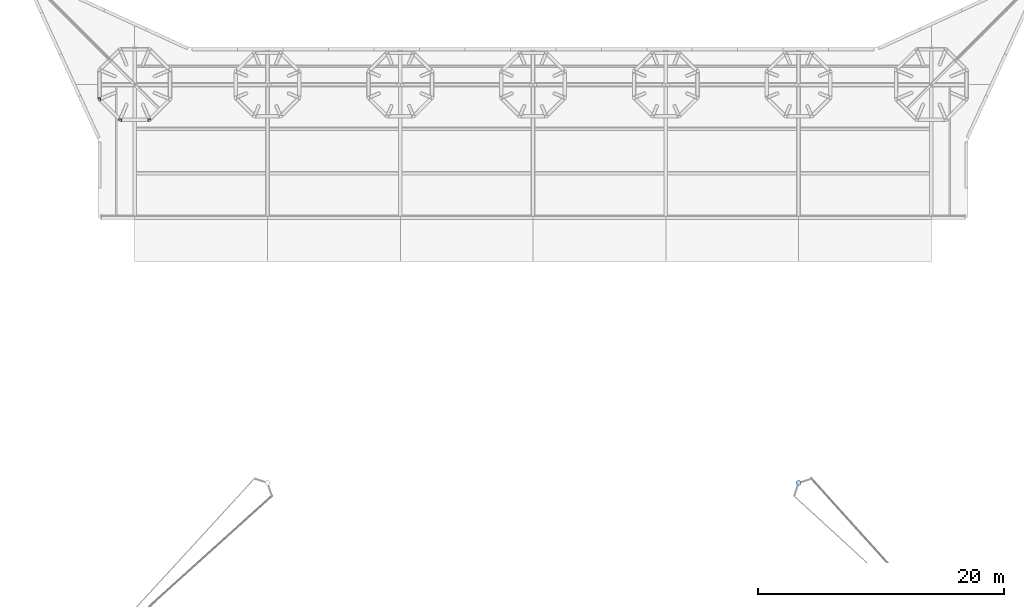
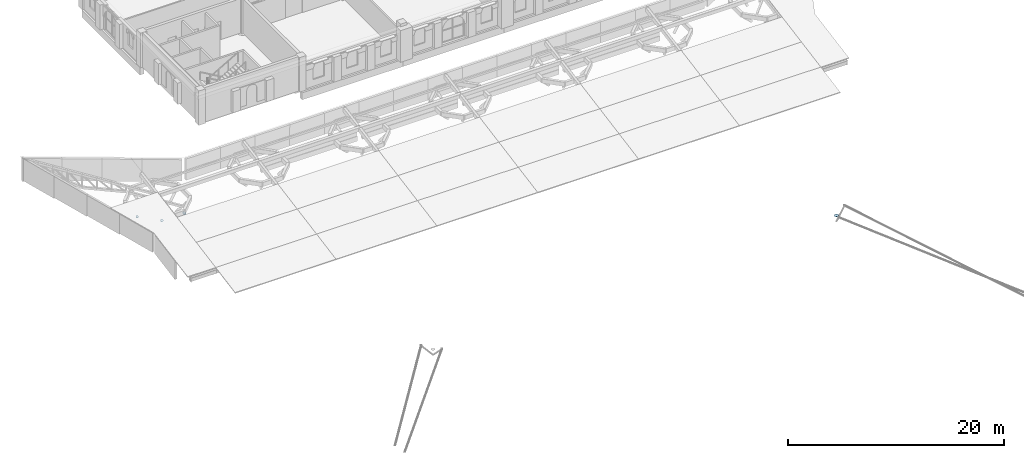
# One storey, part 16 of 32: 4 plates.
"""IFC4 building model written with IfcOpenShell, lengths in metres."""

from ifc_helpers import new_model, si_unit, direction, frame, origin, origin_2d, place, context, subcontext, project, spatial, circle, extrude, material, material_profile, profile_set, type_object, element, save


model = new_model("IFC4")

# Units and contexts
model_context = context("Model", 3, precision=1e-05, world=origin(), true_north=direction((0.0, 1.0)))
body_context = subcontext(model_context, "Body", "Model", "MODEL_VIEW")
ifc_project = project(units=[si_unit("LENGTHUNIT", "METRE"), si_unit("AREAUNIT", "SQUARE_METRE"), si_unit("VOLUMEUNIT", "CUBIC_METRE"), si_unit("PLANEANGLEUNIT", "RADIAN"), si_unit("MASSUNIT", "GRAM", prefix="KILO")], contexts=[model_context])

# Site, building, storey
site_placement = place(None, origin())
site = spatial("IfcSite", under=ifc_project, at=site_placement, CompositionType="ELEMENT")
building_placement = place(site_placement, origin())
building = spatial("IfcBuilding", under=site, at=building_placement, Name="Magnolia Steps Interchange", CompositionType="ELEMENT")
storey_placement = place(building_placement, frame((0.0, 0.0, 16.5)))
storey = spatial("IfcBuildingStorey", under=building, at=storey_placement, Name="L04", CompositionType="ELEMENT", Elevation=16.5)

# Plates
ifc_material_1 = material(Name="Steel Q355B", Category="steel")
ifc_material_profile_1 = material_profile(ifc_material_1, circle(Radius=0.136474609375, at=origin_2d()), Name="End plate CHS273x14")
ifc_profile_set_1 = profile_set([ifc_material_profile_1], Name="Steel Q355B")
plate_type_1 = type_object("IfcPlateType", Name="End plate CHS273x14", PredefinedType="SHEET", material=ifc_profile_set_1)
for number, where, z_axis, x_axis, name in (
    (1, (50.3359375, 84.413818359375, 1.401123046875), (-0.664583318381, -0.275279424158, 0.694658370398), (0.382683432789, -0.923879532336, 0.0), "End plate Tree rib"),
    (2, (52.013671875, 82.736083984375, 1.401123046875), (-0.275279424158, -0.664583318381, 0.694658370398), (0.923879532336, -0.382683432789, 0.0), "End plate Tree rib"),
    (3, (54.38623046875, 82.736083984375, 1.401123046875), (0.275279424158, -0.664583318381, 0.694658370398), (0.923879532336, 0.382683432789, 0.0), "End plate Tree rib"),
):
    element("IfcPlate", number, at=place(storey_placement, frame(where, z_axis=z_axis, x_axis=x_axis)), inside=storey, type_object=plate_type_1, Name=name, PredefinedType="SHEET", context=body_context, shape_type="SweptSolid", body=[
        extrude(circle(Radius=0.136474609375, at=origin_2d()), origin(), (0.0, 0.0, 1.0), 0.008056640625),
    ])
ifc_material_2 = material(Name="Steel Q355B", Category="steel")
ifc_material_profile_2 = material_profile(ifc_material_2, circle(Radius=0.202880859375, at=origin_2d()), Name="End plate CHS406x16")
ifc_profile_set_2 = profile_set([ifc_material_profile_2], Name="Steel Q355B")
plate_type_2 = type_object("IfcPlateType", Name="End plate CHS406x16", PredefinedType="SHEET", material=ifc_profile_set_2)
plate_placement = place(storey_placement, frame((107.199951171875, 53.199951171875, 0.548828125), z_axis=(0.0, 0.0, 1.0), x_axis=(1.0, 0.0, 0.0)))
element("IfcPlate", 4, at=plate_placement, inside=storey, type_object=plate_type_2, Name="End plate Mast", PredefinedType="SHEET", context=body_context, shape_type="SweptSolid", body=[
    extrude(circle(Radius=0.202880859375, at=origin_2d()), origin(), (0.0, 0.0, 1.0), 0.008056640625),
])

save(model, "model.ifc")
